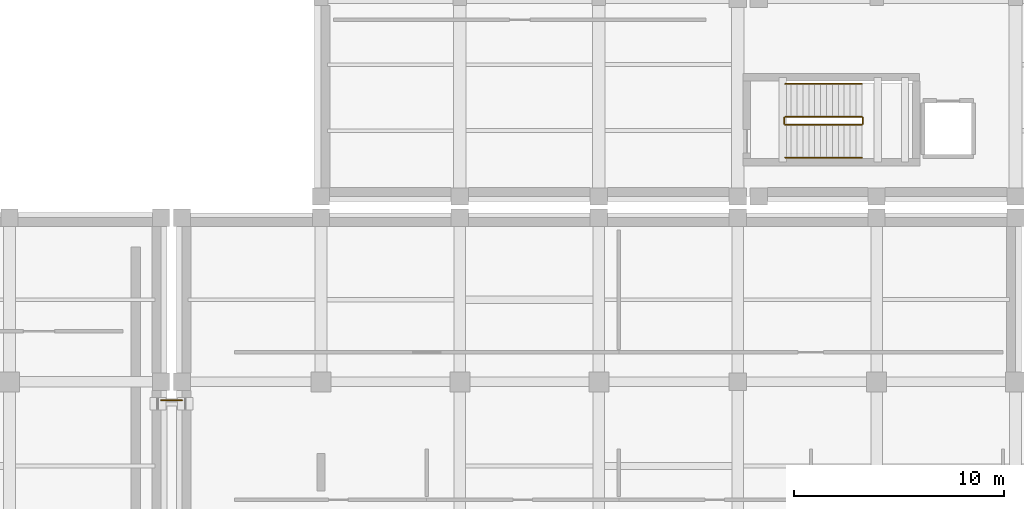
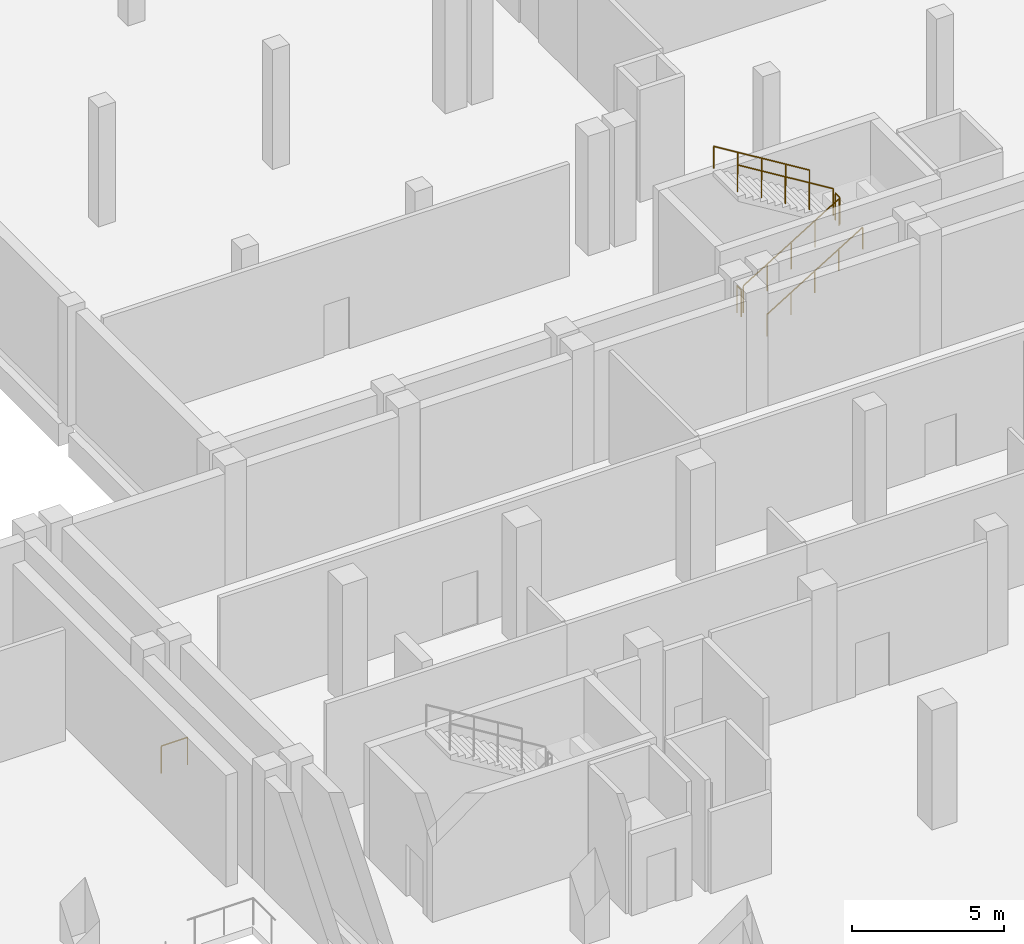
# One storey, part 29 of 31: 7 railings.
"""IFC4 building model written with IfcOpenShell, lengths in metres."""

from ifc_helpers import new_model, si_unit, direction, frame, origin, origin_2d, place, context, subcontext, project, spatial, circle, extrude, material, type_object, element, save


model = new_model("IFC4")

# Units and contexts
model_context = context("Model", 3, precision=1e-05, world=origin(), true_north=direction((0.0, 1.0)))
body_context = subcontext(model_context, "Body", "Model", "MODEL_VIEW")
ifc_project = project(units=[si_unit("LENGTHUNIT", "METRE"), si_unit("AREAUNIT", "SQUARE_METRE"), si_unit("VOLUMEUNIT", "CUBIC_METRE"), si_unit("PLANEANGLEUNIT", "RADIAN"), si_unit("MASSUNIT", "GRAM", prefix="KILO")], contexts=[model_context])

# Site, building, storey
site_placement = place(None, origin())
site = spatial("IfcSite", under=ifc_project, at=site_placement, CompositionType="ELEMENT")
building_placement = place(site_placement, origin())
building = spatial("IfcBuilding", under=site, at=building_placement, Name="Kelarvand Opera House", CompositionType="ELEMENT")
storey_placement = place(building_placement, frame((0.0, 0.0, -4.800048828125)))
storey = spatial("IfcBuildingStorey", under=building, at=storey_placement, Name="B1", CompositionType="ELEMENT", Elevation=-4.800048828125)

# Railings
ifc_material_1 = material(Name="Brushed bronze tubular rail")
railing_type_1 = type_object("IfcRailingType", Name="Brushed Bronze Stair Wall Handrail 900", PredefinedType="HANDRAIL", material=ifc_material_1)
railing_1_placement = place(storey_placement, frame((117.659912109375, 89.050048828125, 0.17138671875)))
element("IfcRailing", 1, at=railing_1_placement, inside=storey, type_object=railing_type_1, Name="B1 ST-07 stair handrail 1", PredefinedType="HANDRAIL", context=body_context, shape_type="SweptSolid", body=[
    extrude(circle(Radius=0.02392578125, at=origin_2d()), frame((0.0, 0.0, 0.8759765625), z_axis=(0.852840387347, 0.0, 0.522171689878), x_axis=(0.0, 1.0, 0.0)), (0.0, 0.0, 1.0), 4.268310546875),
    extrude(circle(Radius=0.02099609375, at=origin_2d()), origin(), (0.0, 0.0, 1.0), 0.851806640625),
    extrude(circle(Radius=0.02099609375, at=origin_2d()), frame((0.91015625, 0.0, 0.55712890625)), (0.0, 0.0, 1.0), 0.851806640625),
    extrude(circle(Radius=0.02099609375, at=origin_2d()), frame((1.820068359375, 0.0, 1.1142578125)), (0.0, 0.0, 1.0), 0.851806640625),
    extrude(circle(Radius=0.02099609375, at=origin_2d()), frame((2.72998046875, 0.0, 1.671630859375)), (0.0, 0.0, 1.0), 0.851806640625),
    extrude(circle(Radius=0.02099609375, at=origin_2d()), frame((3.64013671875, 0.0, 2.228759765625)), (0.0, 0.0, 1.0), 0.851806640625),
])
railing_2_placement = place(storey_placement, frame((121.300048828125, 92.550048828125, 2.571533203125)))
element("IfcRailing", 2, at=railing_2_placement, inside=storey, type_object=railing_type_1, Name="B1 ST-07 stair handrail 2", PredefinedType="HANDRAIL", context=body_context, shape_type="SweptSolid", body=[
    extrude(circle(Radius=0.02392578125, at=origin_2d()), frame((0.0, 0.0, 0.8759765625), z_axis=(-0.852865859571, 0.0, 0.52213008492), x_axis=(0.0, -1.0, 0.0)), (0.0, 0.0, 1.0), 4.26806640625),
    extrude(circle(Radius=0.02099609375, at=origin_2d()), origin(), (0.0, 0.0, 1.0), 0.851806640625),
    extrude(circle(Radius=0.02099609375, at=origin_2d()), frame((-0.91015625, 0.0, 0.55712890625)), (0.0, 0.0, 1.0), 0.851806640625),
    extrude(circle(Radius=0.02099609375, at=origin_2d()), frame((-1.820068359375, 0.0, 1.1142578125)), (0.0, 0.0, 1.0), 0.851806640625),
    extrude(circle(Radius=0.02099609375, at=origin_2d()), frame((-2.72998046875, 0.0, 1.67138671875)), (0.0, 0.0, 1.0), 0.851806640625),
    extrude(circle(Radius=0.02099609375, at=origin_2d()), frame((-3.64013671875, 0.0, 2.228515625)), (0.0, 0.0, 1.0), 0.851806640625),
])
ifc_material_2 = material(Name="Laminated safety glass with bronze cap rail", Category="glass")
railing_type_2 = type_object("IfcRailingType", Name="Laminated Glass and Bronze Foyer Balustrade 1120", PredefinedType="BALUSTRADE", material=ifc_material_2)
railing_3_placement = place(storey_placement, frame((88.0, 77.52001953125, 0.0)))
element("IfcRailing", 3, at=railing_3_placement, inside=storey, type_object=railing_type_2, Name="V1 B1 Balustrade 134", PredefinedType="BALUSTRADE", context=body_context, shape_type="SweptSolid", body=[
    extrude(circle(Radius=0.02392578125, at=origin_2d()), frame((0.0, 0.0, 1.09619140625), z_axis=(1.0, 0.0, 0.0), x_axis=(0.0, 1.0, 0.0)), (0.0, 0.0, 1.0), 1.0),
    extrude(circle(Radius=0.02099609375, at=origin_2d()), origin(), (0.0, 0.0, 1.0), 1.072021484375),
    extrude(circle(Radius=0.02099609375, at=origin_2d()), frame((1.0, 0.0, 0.0)), (0.0, 0.0, 1.0), 1.072021484375),
])
ifc_material_3 = material(Name="Powder-coated Steel S355", Category="steel")
railing_type_3 = type_object("IfcRailingType", Name="Painted Steel Stair and Void Guardrail 1100", PredefinedType="GUARDRAIL", material=ifc_material_3)
railing_4_placement = place(storey_placement, frame((117.659912109375, 90.610107421875, 0.17138671875)))
element("IfcRailing", 4, at=railing_4_placement, inside=storey, type_object=railing_type_3, Name="B1 ST-07 stair guard 1", PredefinedType="GUARDRAIL", context=body_context, shape_type="SweptSolid", body=[
    extrude(circle(Radius=0.02392578125, at=origin_2d()), frame((0.0, 0.0, 1.076171875), z_axis=(0.852840387347, 0.0, 0.522171689878), x_axis=(0.0, 1.0, 0.0)), (0.0, 0.0, 1.0), 4.268310546875),
    extrude(circle(Radius=0.02099609375, at=origin_2d()), origin(), (0.0, 0.0, 1.0), 1.052001953125),
    extrude(circle(Radius=0.02099609375, at=origin_2d()), frame((0.91015625, 0.0, 0.55712890625)), (0.0, 0.0, 1.0), 1.052001953125),
    extrude(circle(Radius=0.02099609375, at=origin_2d()), frame((1.820068359375, 0.0, 1.1142578125)), (0.0, 0.0, 1.0), 1.052001953125),
    extrude(circle(Radius=0.02099609375, at=origin_2d()), frame((2.72998046875, 0.0, 1.671630859375)), (0.0, 0.0, 1.0), 1.052001953125),
    extrude(circle(Radius=0.02099609375, at=origin_2d()), frame((3.64013671875, 0.0, 2.228759765625)), (0.0, 0.0, 1.0), 1.052001953125),
])
railing_5_placement = place(storey_placement, frame((121.35009765625, 90.659912109375, 2.400146484375)))
element("IfcRailing", 5, at=railing_5_placement, inside=storey, type_object=railing_type_3, Name="B1 ST-07 stair guard 2", PredefinedType="GUARDRAIL", context=body_context, shape_type="SweptSolid", body=[
    extrude(circle(Radius=0.02392578125, at=origin_2d()), frame((0.0, 0.0, 1.076171875), z_axis=(0.0, 1.0, 0.0), x_axis=(-1.0, 0.0, 0.0)), (0.0, 0.0, 1.0), 0.280029296875),
    extrude(circle(Radius=0.02099609375, at=origin_2d()), origin(), (0.0, 0.0, 1.0), 1.052001953125),
    extrude(circle(Radius=0.02099609375, at=origin_2d()), frame((0.0, 0.280029296875, 0.0)), (0.0, 0.0, 1.0), 1.052001953125),
])
railing_6_placement = place(storey_placement, frame((121.300048828125, 90.989990234375, 2.571533203125)))
element("IfcRailing", 6, at=railing_6_placement, inside=storey, type_object=railing_type_3, Name="B1 ST-07 stair guard 3", PredefinedType="GUARDRAIL", context=body_context, shape_type="SweptSolid", body=[
    extrude(circle(Radius=0.02392578125, at=origin_2d()), frame((0.0, 0.0, 1.076171875), z_axis=(-0.852865859571, 0.0, 0.52213008492), x_axis=(0.0, -1.0, 0.0)), (0.0, 0.0, 1.0), 4.26806640625),
    extrude(circle(Radius=0.02099609375, at=origin_2d()), origin(), (0.0, 0.0, 1.0), 1.052001953125),
    extrude(circle(Radius=0.02099609375, at=origin_2d()), frame((-0.91015625, 0.0, 0.55712890625)), (0.0, 0.0, 1.0), 1.052001953125),
    extrude(circle(Radius=0.02099609375, at=origin_2d()), frame((-1.820068359375, 0.0, 1.1142578125)), (0.0, 0.0, 1.0), 1.052001953125),
    extrude(circle(Radius=0.02099609375, at=origin_2d()), frame((-2.72998046875, 0.0, 1.67138671875)), (0.0, 0.0, 1.0), 1.052001953125),
    extrude(circle(Radius=0.02099609375, at=origin_2d()), frame((-3.64013671875, 0.0, 2.228515625)), (0.0, 0.0, 1.0), 1.052001953125),
])
railing_7_placement = place(storey_placement, frame((117.610107421875, 90.659912109375, 0.0)))
element("IfcRailing", 7, at=railing_7_placement, inside=storey, type_object=railing_type_3, Name="B1 ST-07 stair guard 4", PredefinedType="GUARDRAIL", context=body_context, shape_type="SweptSolid", body=[
    extrude(circle(Radius=0.02392578125, at=origin_2d()), frame((0.0, 0.0, 1.076171875), z_axis=(0.0, 1.0, 0.0), x_axis=(-1.0, 0.0, 0.0)), (0.0, 0.0, 1.0), 0.280029296875),
    extrude(circle(Radius=0.02099609375, at=origin_2d()), origin(), (0.0, 0.0, 1.0), 1.052001953125),
    extrude(circle(Radius=0.02099609375, at=origin_2d()), frame((0.0, 0.280029296875, 0.0)), (0.0, 0.0, 1.0), 1.052001953125),
])

save(model, "model.ifc")
